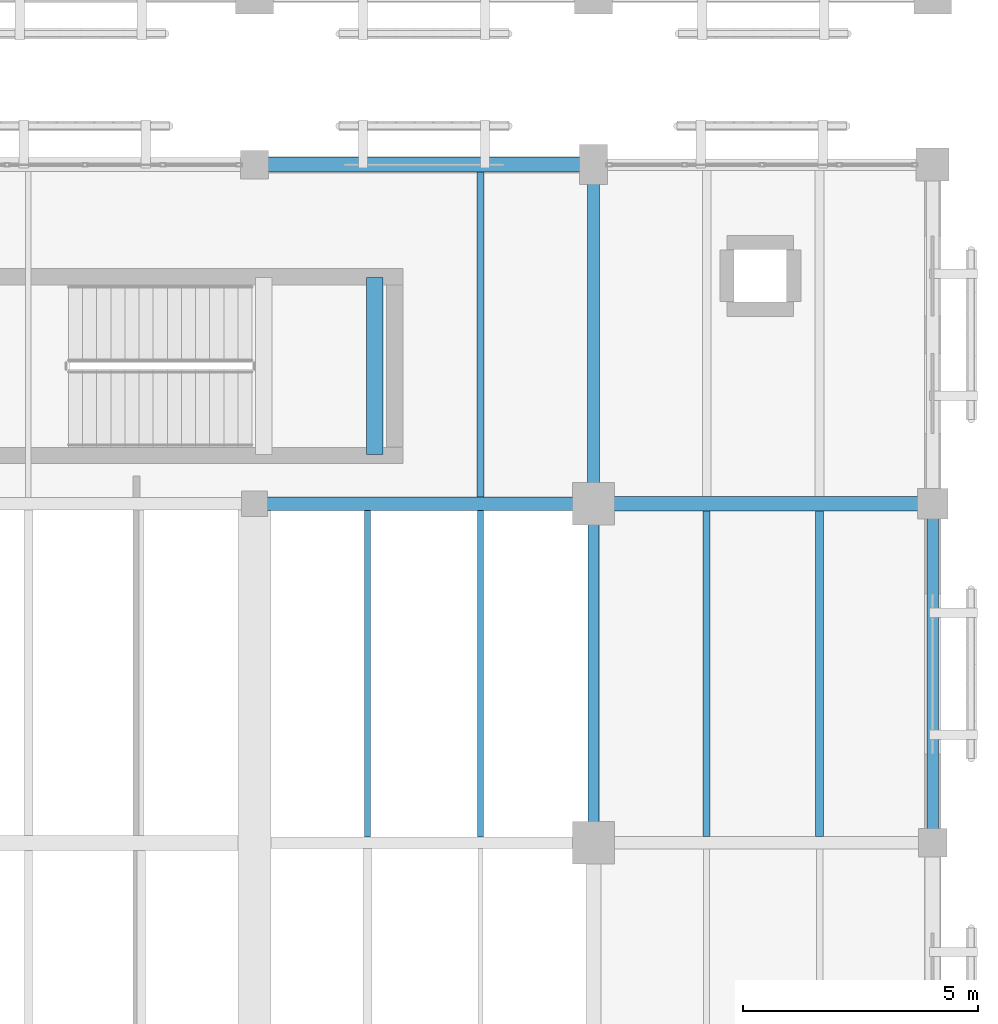
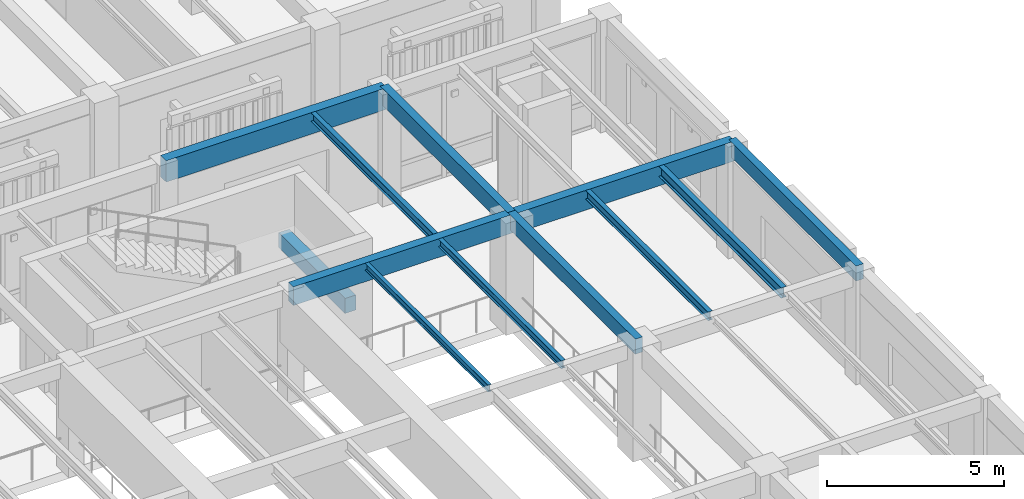
# One storey, part 99 of 170: 12 beams.
"""IFC4 building model written with IfcOpenShell, lengths in metres."""

from ifc_helpers import new_model, si_unit, direction, frame, origin, origin_2d, place, context, subcontext, project, spatial, rectangle, i_section, extrude, material, material_profile, profile_set, type_object, element, save


model = new_model("IFC4")

# Units and contexts
model_context = context("Model", 3, precision=1e-05, world=origin(), true_north=direction((0.0, 1.0)))
body_context = subcontext(model_context, "Body", "Model", "MODEL_VIEW")
ifc_project = project(units=[si_unit("LENGTHUNIT", "METRE"), si_unit("AREAUNIT", "SQUARE_METRE"), si_unit("VOLUMEUNIT", "CUBIC_METRE"), si_unit("PLANEANGLEUNIT", "RADIAN"), si_unit("MASSUNIT", "GRAM", prefix="KILO")], contexts=[model_context])

# Site, building, storey
site_placement = place(None, origin())
site = spatial("IfcSite", under=ifc_project, at=site_placement, CompositionType="ELEMENT")
building_placement = place(site_placement, origin())
building = spatial("IfcBuilding", under=site, at=building_placement, Name="Mazaris Harbour Polytechnic", CompositionType="ELEMENT")
storey_placement = place(building_placement, frame((0.0, 0.0, 5.39990234375)))
storey = spatial("IfcBuildingStorey", under=building, at=storey_placement, Name="L01", CompositionType="ELEMENT", Elevation=5.39990234375)

# Beams
ifc_material_1 = material(Name="Glulam GL32h", Category="wood")
ifc_material_profile_1 = material_profile(ifc_material_1, rectangle(XDim=0.239990234375, YDim=0.52001953125, at=origin_2d()), Name="RECT240x520")
ifc_profile_set_1 = profile_set([ifc_material_profile_1], Name="Glulam GL32h")
beam_type_1 = type_object("IfcBeamType", Name="Glulam Girder 240x520", PredefinedType="BEAM", material=ifc_profile_set_1)
beam_1_placement = place(storey_placement, frame((165.60009765625, 28.800048828125, 3.590087890625), z_axis=(0.0, 1.0, 0.0), x_axis=(-1.0, 0.0, 0.0)))
element("IfcBeam", 1, at=beam_1_placement, inside=storey, type_object=beam_type_1, Name="V2 L01 Tie Girder 575", PredefinedType="BEAM", context=body_context, shape_type="SweptSolid", body=[
    extrude(rectangle(XDim=0.239990234375, YDim=0.52001953125, at=origin_2d()), origin(), (0.0, 0.0, 1.0), 7.199951171875),
])
ifc_material_2 = material(Name="Glulam GL32h", Category="wood")
ifc_material_profile_2 = material_profile(ifc_material_2, rectangle(XDim=0.239990234375, YDim=0.52001953125, at=origin_2d()), Name="RECT240x520")
ifc_profile_set_2 = profile_set([ifc_material_profile_2], Name="Glulam GL32h")
beam_type_2 = type_object("IfcBeamType", Name="Glulam Girder 240x520 Exterior", PredefinedType="BEAM", material=ifc_profile_set_2)
beam_2_placement = place(storey_placement, frame((172.800048828125, 28.800048828125, 3.590087890625), z_axis=(0.0, 1.0, 0.0), x_axis=(-1.0, 0.0, 0.0)))
element("IfcBeam", 2, at=beam_2_placement, inside=storey, type_object=beam_type_2, Name="V2 L01 Tie Girder 580", PredefinedType="BEAM", context=body_context, shape_type="SweptSolid", body=[
    extrude(rectangle(XDim=0.239990234375, YDim=0.52001953125, at=origin_2d()), origin(), (0.0, 0.0, 1.0), 7.199951171875),
])
ifc_material_3 = material(Name="Glulam GL32h", Category="wood")
ifc_material_profile_3 = material_profile(ifc_material_3, rectangle(XDim=0.260009765625, YDim=0.580078125, at=origin_2d()), Name="RECT260x580")
ifc_profile_set_3 = profile_set([ifc_material_profile_3], Name="Glulam GL32h")
beam_type_3 = type_object("IfcBeamType", Name="Glulam Girder 260x580", PredefinedType="BEAM", material=ifc_profile_set_3)
beam_3_placement = place(storey_placement, frame((165.60009765625, 36.0, 3.56005859375), z_axis=(0.0, 1.0, 0.0), x_axis=(-1.0, 0.0, 0.0)))
element("IfcBeam", 3, at=beam_3_placement, inside=storey, type_object=beam_type_3, Name="V2 L01 Tie Girder 576", PredefinedType="BEAM", context=body_context, shape_type="SweptSolid", body=[
    extrude(rectangle(XDim=0.260009765625, YDim=0.580078125, at=origin_2d()), origin(), (0.0, 0.0, 1.0), 7.199951171875),
])
ifc_material_4 = material(Name="Glulam GL32h", Category="wood")
ifc_material_profile_4 = material_profile(ifc_material_4, rectangle(XDim=0.280029296875, YDim=0.639892578125, at=origin_2d()), Name="RECT280x640")
ifc_profile_set_4 = profile_set([ifc_material_profile_4], Name="Glulam GL32h")
beam_type_4 = type_object("IfcBeamType", Name="Glulam Girder 280x640", PredefinedType="BEAM", material=ifc_profile_set_4)
beam_4_placement = place(storey_placement, frame((158.39990234375, 36.0, 3.530029296875), z_axis=(1.0, 0.0, 0.0), x_axis=(0.0, 1.0, 0.0)))
element("IfcBeam", 4, at=beam_4_placement, inside=storey, type_object=beam_type_4, Name="V2 L01 Girder 547", PredefinedType="BEAM", context=body_context, shape_type="SweptSolid", body=[
    extrude(rectangle(XDim=0.280029296875, YDim=0.639892578125, at=origin_2d()), origin(), (0.0, 0.0, 1.0), 7.2001953125),
])
ifc_material_5 = material(Name="Glulam GL32h", Category="wood")
ifc_material_profile_5 = material_profile(ifc_material_5, rectangle(XDim=0.300048828125, YDim=0.679931640625, at=origin_2d()), Name="RECT300x680")
ifc_profile_set_5 = profile_set([ifc_material_profile_5], Name="Glulam GL32h")
beam_type_5 = type_object("IfcBeamType", Name="Glulam Girder 300x680", PredefinedType="BEAM", material=ifc_profile_set_5)
beam_5_placement = place(storey_placement, frame((165.60009765625, 36.0, 3.510009765625), z_axis=(1.0, 0.0, 0.0), x_axis=(0.0, 1.0, 0.0)))
element("IfcBeam", 5, at=beam_5_placement, inside=storey, type_object=beam_type_5, Name="V2 L01 Girder 548", PredefinedType="BEAM", context=body_context, shape_type="SweptSolid", body=[
    extrude(rectangle(XDim=0.300048828125, YDim=0.679931640625, at=origin_2d()), origin(), (0.0, 0.0, 1.0), 7.199951171875),
])
ifc_material_6 = material(Name="Glulam GL32h", Category="wood")
ifc_material_profile_6 = material_profile(ifc_material_6, rectangle(XDim=0.320068359375, YDim=0.739990234375, at=origin_2d()), Name="RECT320x740")
ifc_profile_set_6 = profile_set([ifc_material_profile_6], Name="Glulam GL32h")
beam_type_6 = type_object("IfcBeamType", Name="Glulam Girder 320x740 Exterior", PredefinedType="BEAM", material=ifc_profile_set_6)
beam_6_placement = place(storey_placement, frame((158.39990234375, 43.199951171875, 3.47998046875), z_axis=(1.0, 0.0, 0.0), x_axis=(0.0, 1.0, 0.0)))
element("IfcBeam", 6, at=beam_6_placement, inside=storey, type_object=beam_type_6, Name="V2 L01 Girder 554", PredefinedType="BEAM", context=body_context, shape_type="SweptSolid", body=[
    extrude(rectangle(XDim=0.320068359375, YDim=0.739990234375, at=origin_2d()), origin(), (0.0, 0.0, 1.0), 7.2001953125),
])
ifc_material_7 = material(Name="Concrete C40/50", Category="concrete")
ifc_material_profile_7 = material_profile(ifc_material_7, rectangle(XDim=0.35009765625, YDim=0.52001953125, at=origin_2d()), Name="RECT350x520")
ifc_profile_set_7 = profile_set([ifc_material_profile_7], Name="Concrete C40/50")
beam_type_7 = type_object("IfcBeamType", Name="RC Landing Bearer 350x520", PredefinedType="BEAM", material=ifc_profile_set_7)
beam_7_placement = place(storey_placement, frame((160.949951171875, 37.050048828125, 1.64013671875), z_axis=(0.0, 1.0, 0.0), x_axis=(-1.0, 0.0, 0.0)))
element("IfcBeam", 7, at=beam_7_placement, inside=storey, type_object=beam_type_7, Name="Core ST04 L01 Landing Bearer", PredefinedType="BEAM", context=body_context, shape_type="SweptSolid", body=[
    extrude(rectangle(XDim=0.35009765625, YDim=0.52001953125, at=origin_2d()), origin(), (0.0, 0.0, 1.0), 3.75),
])
ifc_material_8 = material(Name="Steel S355", Category="steel")
ifc_material_profile_8 = material_profile(ifc_material_8, i_section(OverallWidth=0.1201171875, OverallDepth=0.239990234375, WebThickness=0.006103515625, FlangeThickness=0.009765625, FilletRadius=0.014892578125, at=origin_2d()), Name="IPE 240")
ifc_profile_set_8 = profile_set([ifc_material_profile_8], Name="Steel S355")
beam_type_8 = type_object("IfcBeamType", Name="Steel Joist IPE240", PredefinedType="JOIST", material=ifc_profile_set_8)
beam_8_placement = place(storey_placement, frame((160.800048828125, 28.919921875, 3.72998046875), z_axis=(0.0, 1.0, 0.0), x_axis=(-1.0, 0.0, 0.0)))
element("IfcBeam", 8, at=beam_8_placement, inside=storey, type_object=beam_type_8, Name="V2 L01 Floor Joist 631", PredefinedType="JOIST", context=body_context, shape_type="SweptSolid", body=[
    extrude(i_section(OverallWidth=0.1201171875, OverallDepth=0.239990234375, WebThickness=0.006103515625, FlangeThickness=0.009765625, FilletRadius=0.014892578125, at=origin_2d()), origin(), (0.0, 0.0, 1.0), 6.940185546875),
])
ifc_material_9 = material(Name="Steel S355", Category="steel")
ifc_material_profile_9 = material_profile(ifc_material_9, i_section(OverallWidth=0.135009765625, OverallDepth=0.27001953125, WebThickness=0.006591796875, FlangeThickness=0.01025390625, FilletRadius=0.014892578125, at=origin_2d()), Name="IPE 270")
ifc_profile_set_9 = profile_set([ifc_material_profile_9], Name="Steel S355")
beam_type_9 = type_object("IfcBeamType", Name="Steel Joist IPE270", PredefinedType="JOIST", material=ifc_profile_set_9)
beam_9_placement = place(storey_placement, frame((163.199951171875, 28.919921875, 3.715087890625), z_axis=(0.0, 1.0, 0.0), x_axis=(-1.0, 0.0, 0.0)))
element("IfcBeam", 9, at=beam_9_placement, inside=storey, type_object=beam_type_9, Name="V2 L01 Floor Joist 632", PredefinedType="JOIST", context=body_context, shape_type="SweptSolid", body=[
    extrude(i_section(OverallWidth=0.135009765625, OverallDepth=0.27001953125, WebThickness=0.006591796875, FlangeThickness=0.01025390625, FilletRadius=0.014892578125, at=origin_2d()), origin(), (0.0, 0.0, 1.0), 6.940185546875),
])
ifc_material_10 = material(Name="Steel S355", Category="steel")
ifc_material_profile_10 = material_profile(ifc_material_10, i_section(OverallWidth=0.14990234375, OverallDepth=0.300048828125, WebThickness=0.007080078125, FlangeThickness=0.0107421875, FilletRadius=0.014892578125, at=origin_2d()), Name="IPE 300")
ifc_profile_set_10 = profile_set([ifc_material_profile_10], Name="Steel S355")
beam_type_10 = type_object("IfcBeamType", Name="Steel Joist IPE300", PredefinedType="JOIST", material=ifc_profile_set_10)
beam_10_placement = place(storey_placement, frame((163.199951171875, 36.139892578125, 3.7001953125), z_axis=(0.0, 1.0, 0.0), x_axis=(-1.0, 0.0, 0.0)))
element("IfcBeam", 10, at=beam_10_placement, inside=storey, type_object=beam_type_10, Name="V2 L01 Floor Joist 633", PredefinedType="JOIST", context=body_context, shape_type="SweptSolid", body=[
    extrude(i_section(OverallWidth=0.14990234375, OverallDepth=0.300048828125, WebThickness=0.007080078125, FlangeThickness=0.0107421875, FilletRadius=0.014892578125, at=origin_2d()), origin(), (0.0, 0.0, 1.0), 6.900146484375),
])
beam_11_placement = place(storey_placement, frame((168.0, 28.929931640625, 3.7001953125), z_axis=(0.0, 1.0, 0.0), x_axis=(-1.0, 0.0, 0.0)))
element("IfcBeam", 11, at=beam_11_placement, inside=storey, type_object=beam_type_10, Name="V2 L01 Floor Joist 640", PredefinedType="JOIST", context=body_context, shape_type="SweptSolid", body=[
    extrude(i_section(OverallWidth=0.14990234375, OverallDepth=0.300048828125, WebThickness=0.007080078125, FlangeThickness=0.0107421875, FilletRadius=0.014892578125, at=origin_2d()), origin(), (0.0, 0.0, 1.0), 6.920166015625),
])
ifc_material_11 = material(Name="Steel S355", Category="steel")
ifc_material_profile_11 = material_profile(ifc_material_11, i_section(OverallWidth=0.169921875, OverallDepth=0.360107421875, WebThickness=0.008056640625, FlangeThickness=0.0126953125, FilletRadius=0.01806640625, at=origin_2d()), Name="IPE 360")
ifc_profile_set_11 = profile_set([ifc_material_profile_11], Name="Steel S355")
beam_type_11 = type_object("IfcBeamType", Name="Steel Joist IPE360", PredefinedType="JOIST", material=ifc_profile_set_11)
beam_12_placement = place(storey_placement, frame((170.39990234375, 28.929931640625, 3.670166015625), z_axis=(0.0, 1.0, 0.0), x_axis=(-1.0, 0.0, 0.0)))
element("IfcBeam", 12, at=beam_12_placement, inside=storey, type_object=beam_type_11, Name="V2 L01 Floor Joist 641", PredefinedType="JOIST", context=body_context, shape_type="SweptSolid", body=[
    extrude(i_section(OverallWidth=0.169921875, OverallDepth=0.360107421875, WebThickness=0.008056640625, FlangeThickness=0.0126953125, FilletRadius=0.01806640625, at=origin_2d()), origin(), (0.0, 0.0, 1.0), 6.920166015625),
])

save(model, "model.ifc")
